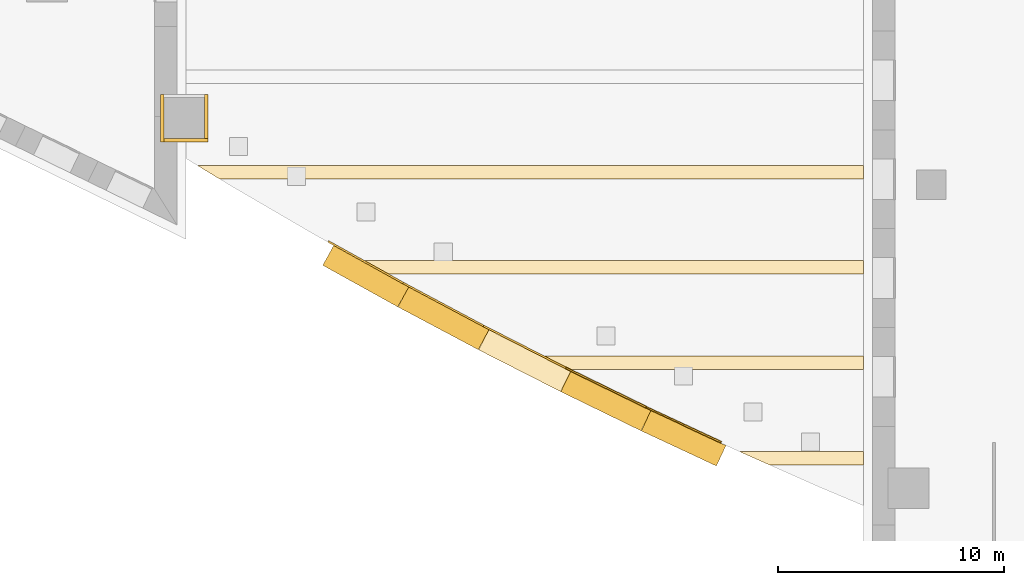
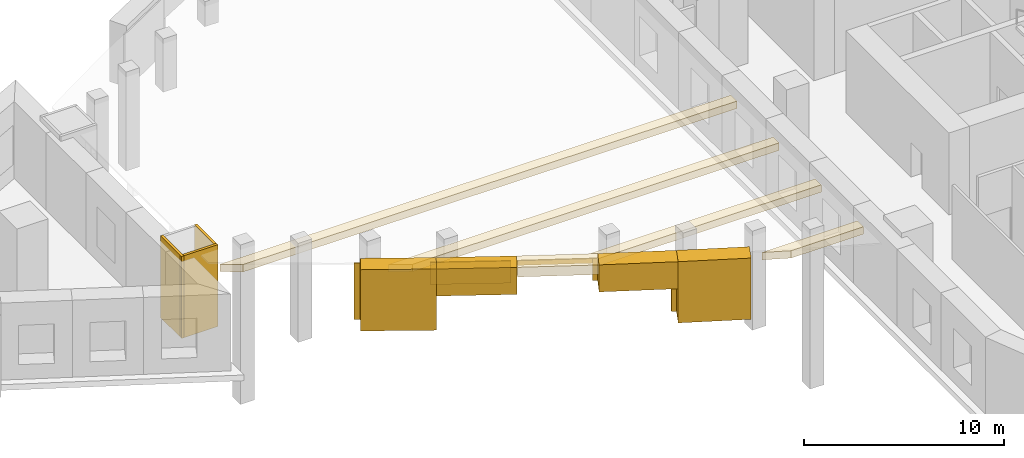
# One storey, part 7 of 11: 17 coverings.
"""IFC4 building model written with IfcOpenShell, lengths in metres."""

from ifc_helpers import new_model, si_unit, direction, frame, frame_2d, origin, place, context, subcontext, project, spatial, polyline, rectangle, outline, extrude, material, layer, layer_set, type_object, element, save


model = new_model("IFC4")

# Units and contexts
model_context = context("Model", 3, precision=1e-05, world=origin(), true_north=direction((0.0, 1.0)))
body_context = subcontext(model_context, "Body", "Model", "MODEL_VIEW")
ifc_project = project(units=[si_unit("LENGTHUNIT", "METRE"), si_unit("AREAUNIT", "SQUARE_METRE"), si_unit("VOLUMEUNIT", "CUBIC_METRE"), si_unit("PLANEANGLEUNIT", "RADIAN"), si_unit("MASSUNIT", "GRAM", prefix="KILO")], contexts=[model_context])

# Site, building, storey
site_placement = place(None, origin())
site = spatial("IfcSite", under=ifc_project, at=site_placement, CompositionType="ELEMENT")
building_placement = place(site_placement, origin())
building = spatial("IfcBuilding", under=site, at=building_placement, Name="Ostrand Prow Hotel Tower", CompositionType="ELEMENT")
storey_placement = place(building_placement, frame((0.0, 0.0, 24.0)))
storey = spatial("IfcBuildingStorey", under=building, at=storey_placement, Name="L04", CompositionType="ELEMENT", Elevation=24.0)

# Coverings
ifc_material_1 = material(Name="Dark bronze anodised aluminium lining", Category="aluminium")
ifc_layer_1 = layer(ifc_material_1, 0.080078125)
ifc_layer_set_1 = layer_set([ifc_layer_1], Name="Dark bronze anodised aluminium lining")
covering_type_1 = type_object("IfcCoveringType", Name="Arch spandrel limestone cladding 80 mm", PredefinedType="CLADDING", material=ifc_layer_set_1)
covering_1_placement = place(storey_placement, frame((18.300048828125, -11.5048828125, 1.260986328125), z_axis=(0.0, 0.0, 1.0), x_axis=(0.874066386789, -0.485806495927, 0.0)))
element("IfcCovering", 1, at=covering_1_placement, inside=storey, type_object=covering_type_1, Name="Arch spandrel cladding S 6", PredefinedType="CLADDING", context=body_context, shape_type="SweptSolid", body=[
    extrude(rectangle(XDim=3.8017578125, YDim=0.080078125, at=frame_2d((1.90087890625, 0.0))), origin(), (0.0, 0.0, 1.0), 3.43896484375),
])
covering_2_placement = place(storey_placement, frame((21.623046875, -13.351806640625, 3.348388671875), z_axis=(0.0, 0.0, 1.0), x_axis=(0.882297632881, -0.470691923675, 0.0)))
element("IfcCovering", 2, at=covering_2_placement, inside=storey, type_object=covering_type_1, Name="Arch spandrel cladding S 7", PredefinedType="CLADDING", context=body_context, shape_type="SweptSolid", body=[
    extrude(rectangle(XDim=4.03271484375, YDim=0.080078125, at=frame_2d((2.016357421875, 0.0))), origin(), (0.0, 0.0, 1.0), 1.3515625),
])
covering_3_placement = place(storey_placement, frame((25.18115234375, -15.25, 4.41552734375), z_axis=(0.0, 0.0, 1.0), x_axis=(0.89056920711, -0.454847762826, 0.0)))
element("IfcCovering", 3, at=covering_3_placement, inside=storey, type_object=covering_type_1, Name="Arch spandrel cladding S 8", PredefinedType="CLADDING", context=body_context, shape_type="SweptSolid", body=[
    extrude(rectangle(XDim=4.084716796875, YDim=0.080078125, at=frame_2d((2.04248046875, 0.0))), origin(), (0.0, 0.0, 1.0), 0.284423828125),
])
covering_4_placement = place(storey_placement, frame((28.81884765625, -17.10791015625, 3.348388671875), z_axis=(0.0, 0.0, 1.0), x_axis=(0.898458944827, -0.439057541173, 0.0)))
element("IfcCovering", 4, at=covering_4_placement, inside=storey, type_object=covering_type_1, Name="Arch spandrel cladding S 9", PredefinedType="CLADDING", context=body_context, shape_type="SweptSolid", body=[
    extrude(rectangle(XDim=3.960205078125, YDim=0.080078125, at=frame_2d((1.97998046875, 0.0))), origin(), (0.0, 0.0, 1.0), 1.3515625),
])
covering_5_placement = place(storey_placement, frame((32.376953125, -18.8466796875, 1.260986328125), z_axis=(0.0, 0.0, 1.0), x_axis=(0.905692944526, -0.423934299433, 0.0)))
element("IfcCovering", 5, at=covering_5_placement, inside=storey, type_object=covering_type_1, Name="Arch spandrel cladding S 10", PredefinedType="CLADDING", context=body_context, shape_type="SweptSolid", body=[
    extrude(rectangle(XDim=3.6689453125, YDim=0.080078125, at=frame_2d((1.83447265625, 0.0))), origin(), (0.0, 0.0, 1.0), 3.43896484375),
])
ifc_material_2 = material(Name="Limestone cladding", Category="masonry")
ifc_layer_2 = layer(ifc_material_2, 0.14990234375)
ifc_layer_set_2 = layer_set([ifc_layer_2], Name="Limestone cladding")
covering_type_2 = type_object("IfcCoveringType", Name="Column stone sleeve 150 mm", PredefinedType="CLADDING", material=ifc_layer_set_2)
covering_6_placement = place(storey_placement, frame((10.87646484375, -7.01708984375, 0.0), z_axis=(0.0, 0.0, 1.0), x_axis=(1.0, 0.0, 0.0)))
element("IfcCovering", 6, at=covering_6_placement, inside=storey, type_object=covering_type_2, Name="Column stone sleeve MC-S1 1", PredefinedType="CLADDING", context=body_context, shape_type="SweptSolid", body=[
    extrude(rectangle(XDim=2.099853515625, YDim=0.14990234375, at=frame_2d((1.0498046875, 0.0))), origin(), (0.0, 0.0, 1.0), 5.0),
])
for number, where, z_axis, x_axis, name in (
    (7, (12.9013671875, -7.092041015625, 0.0), (0.0, 0.0, 1.0), (0.0, 1.0, 0.0), "Column stone sleeve MC-S1 2"),
    (8, (10.951416015625, -4.991943359375, 0.0), (0.0, 0.0, 1.0), (0.0, -1.0, 0.0), "Column stone sleeve MC-S1 4"),
):
    element("IfcCovering", number, at=place(storey_placement, frame(where, z_axis=z_axis, x_axis=x_axis)), inside=storey, type_object=covering_type_2, Name=name, PredefinedType="CLADDING", context=body_context, shape_type="SweptSolid", body=[
        extrude(rectangle(XDim=2.10009765625, YDim=0.14990234375, at=frame_2d((1.050048828125, 0.0))), origin(), (0.0, 0.0, 1.0), 5.0),
    ])
ifc_material_3 = material(Name="Limestone cladding", Category="masonry")
ifc_layer_3 = layer(ifc_material_3, 1.0)
ifc_layer_set_3 = layer_set([ifc_layer_3], Name="Limestone cladding")
covering_type_3 = type_object("IfcCoveringType", Name="Portal frame limestone 1000 mm", PredefinedType="CLADDING", material=ifc_layer_set_3)
covering_7_placement = place(storey_placement, frame((18.300048828125, -12.12548828125, 1.260986328125), z_axis=(0.0, 0.0, 1.0), x_axis=(0.874720527585, -0.484627690729, 0.0)))
element("IfcCovering", 9, at=covering_7_placement, inside=storey, type_object=covering_type_3, Name="Portal frame S 6", PredefinedType="CLADDING", context=body_context, shape_type="SweptSolid", body=[
    extrude(rectangle(XDim=3.798828125, YDim=1.0, at=frame_2d((1.8994140625, 0.0))), origin(), (0.0, 0.0, 1.0), 3.739013671875),
])
covering_8_placement = place(storey_placement, frame((21.623046875, -13.966552734375, 3.348388671875), z_axis=(0.0, 0.0, 1.0), x_axis=(0.882900711238, -0.469559723673, 0.0)))
element("IfcCovering", 10, at=covering_8_placement, inside=storey, type_object=covering_type_3, Name="Portal frame S 7", PredefinedType="CLADDING", context=body_context, shape_type="SweptSolid", body=[
    extrude(rectangle(XDim=4.030029296875, YDim=1.0, at=frame_2d((2.01513671875, 0.0))), origin(), (0.0, 0.0, 1.0), 1.651611328125),
])
covering_9_placement = place(storey_placement, frame((25.18115234375, -15.85888671875, 4.41552734375), z_axis=(0.0, 0.0, 1.0), x_axis=(0.891125742956, -0.453756443746, 0.0)))
element("IfcCovering", 11, at=covering_9_placement, inside=storey, type_object=covering_type_3, Name="Portal frame S 8", PredefinedType="CLADDING", context=body_context, shape_type="SweptSolid", body=[
    extrude(rectangle(XDim=4.08203125, YDim=1.0, at=frame_2d((2.041015625, 0.0))), origin(), (0.0, 0.0, 1.0), 0.58447265625),
])
covering_10_placement = place(storey_placement, frame((28.81884765625, -17.711181640625, 3.348388671875), z_axis=(0.0, 0.0, 1.0), x_axis=(0.898945028747, -0.4380614515, 0.0)))
element("IfcCovering", 12, at=covering_10_placement, inside=storey, type_object=covering_type_3, Name="Portal frame S 9", PredefinedType="CLADDING", context=body_context, shape_type="SweptSolid", body=[
    extrude(rectangle(XDim=3.9580078125, YDim=1.0, at=frame_2d((1.97900390625, 0.0))), origin(), (0.0, 0.0, 1.0), 1.651611328125),
])
covering_11_placement = place(storey_placement, frame((32.376953125, -19.445068359375, 1.260986328125), z_axis=(0.0, 0.0, 1.0), x_axis=(0.906152522833, -0.422951067339, 0.0)))
element("IfcCovering", 13, at=covering_11_placement, inside=storey, type_object=covering_type_3, Name="Portal frame S 10", PredefinedType="CLADDING", context=body_context, shape_type="SweptSolid", body=[
    extrude(rectangle(XDim=3.667236328125, YDim=1.0, at=frame_2d((1.83349609375, 0.0))), origin(), (0.0, 0.0, 1.0), 3.739013671875),
])
ifc_material_4 = material(Name="Dark bronze anodised aluminium lining", Category="aluminium")
ifc_layer_4 = layer(ifc_material_4, 0.60009765625)
ifc_layer_set_4 = layer_set([ifc_layer_4], Name="Dark bronze anodised aluminium lining")
covering_type_4 = type_object("IfcCoveringType", Name="Soffit coffer rib limestone 600 mm", PredefinedType="CLADDING", material=ifc_layer_set_4)
covering_12_placement = place(storey_placement, frame((0.0, 0.0, 4.14990234375)))
element("IfcCovering", 14, at=covering_12_placement, inside=storey, type_object=covering_type_4, Name="Soffit coffer rib 1", PredefinedType="CLADDING", context=body_context, shape_type="SweptSolid", body=[
    extrude(outline(polyline([(36.477294921875, -20.798095703125), (37.828857421875, -21.398193359375), (42.0, -21.398193359375), (42.0, -20.798095703125), (36.477294921875, -20.798095703125)])), origin(), (0.0, 0.0, 1.0), 0.4501953125),
])
covering_13_placement = place(storey_placement, frame((0.0, 0.0, 4.14990234375)))
element("IfcCovering", 15, at=covering_13_placement, inside=storey, type_object=covering_type_4, Name="Soffit coffer rib 2", PredefinedType="CLADDING", context=body_context, shape_type="SweptSolid", body=[
    extrude(outline(polyline([(28.681884765625, -17.083984375), (28.875, -17.1787109375), (42.0, -17.1787109375), (42.0, -16.57861328125), (27.694091796875, -16.57861328125), (28.681884765625, -17.083984375)])), origin(), (0.0, 0.0, 1.0), 0.4501953125),
])
covering_14_placement = place(storey_placement, frame((0.0, 0.0, 4.14990234375)))
element("IfcCovering", 16, at=covering_14_placement, inside=storey, type_object=covering_type_4, Name="Soffit coffer rib 3", PredefinedType="CLADDING", context=body_context, shape_type="SweptSolid", body=[
    extrude(outline(polyline([(19.75732421875, -12.35888671875), (20.830322265625, -12.958984375), (42.0, -12.958984375), (42.0, -12.35888671875), (19.75732421875, -12.35888671875)])), origin(), (0.0, 0.0, 1.0), 0.4501953125),
])
covering_15_placement = place(storey_placement, frame((0.0, 0.0, 4.14990234375)))
element("IfcCovering", 17, at=covering_15_placement, inside=storey, type_object=covering_type_4, Name="Soffit coffer rib 4", PredefinedType="CLADDING", context=body_context, shape_type="SweptSolid", body=[
    extrude(outline(polyline([(12.49951171875, -8.139404296875), (13.485595703125, -8.7392578125), (42.0, -8.7392578125), (42.0, -8.139404296875), (12.49951171875, -8.139404296875)])), origin(), (0.0, 0.0, 1.0), 0.4501953125),
])

save(model, "model.ifc")
